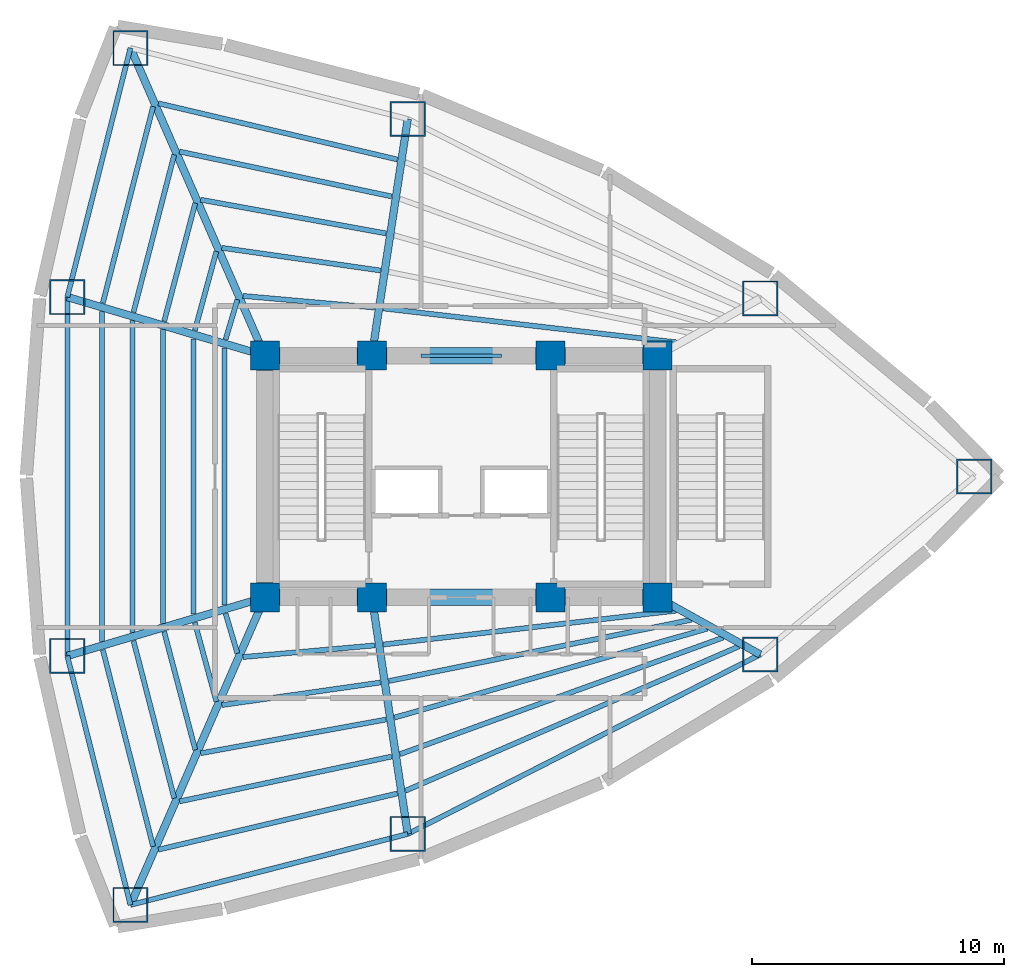
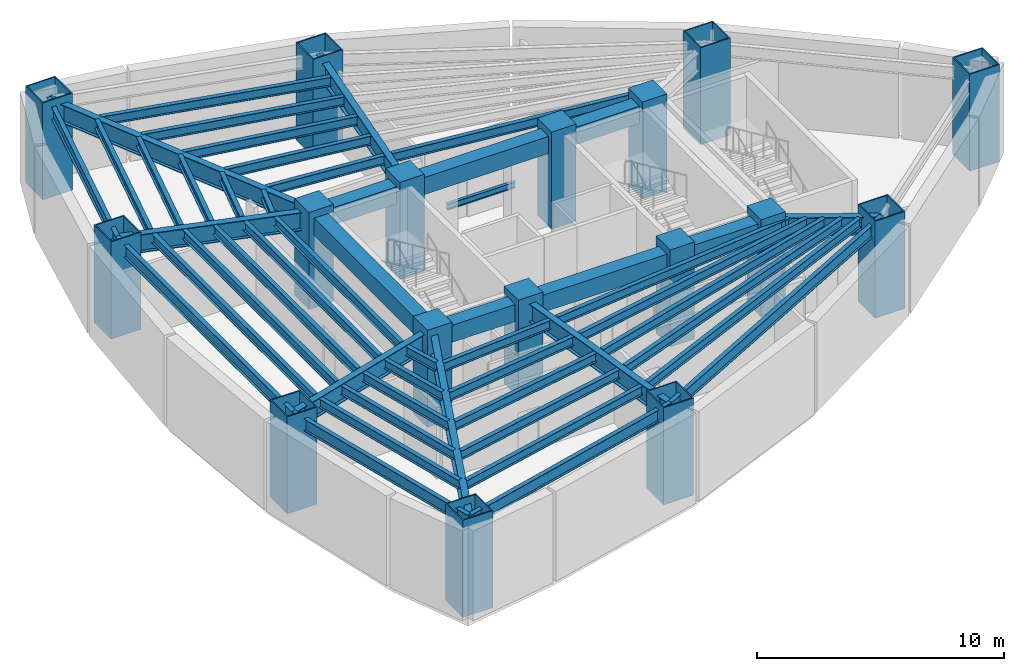
# One storey, part 1 of 5: 51 beams, 17 columns.
"""IFC4 building model written with IfcOpenShell, lengths in metres."""

import ifcopenshell
import ifcopenshell.guid

model = None  # the IFC model being written
_history = None  # IfcOwnerHistory: only IFC2X3 demands one
_inside = {}  # id of a spatial element -> (the spatial element, [elements in it])
_under = {}  # id of a project, library or spatial element -> (it, [spatial elements below it])
_declared = {}  # id of a project -> (the project, [libraries it declares])
_typed = {}  # id of a type object -> (the type object, [elements of that type])
_made_of = {}  # id of a material, layer set ... -> (it, [elements and type objects made of it])


def new_model(schema):
    """Start an empty IFC model of exactly this schema.

    Asked for "IFC4X3", IfcOpenShell would pick the latest addendum, in which some entities
    have other attributes; the version numbers below select the first issue.
    IFC2X3 requires an IfcOwnerHistory on every rooted entity: one is made here for all.
    """
    global model, _history
    if schema == "IFC4X3":
        model = ifcopenshell.file(schema_version=(4, 3, 0, 0))
    else:
        model = ifcopenshell.file(schema=schema)
    _inside.clear()
    _under.clear()
    _declared.clear()
    _typed.clear()
    _made_of.clear()
    _history = None
    if model.schema == "IFC2X3":
        org = make("IfcOrganization", Name="unknown")
        user = make(
            "IfcPersonAndOrganization",
            ThePerson=make("IfcPerson", FamilyName="unknown"),
            TheOrganization=org,
        )
        app = make(
            "IfcApplication",
            ApplicationDeveloper=org,
            Version="unknown",
            ApplicationFullName="unknown",
            ApplicationIdentifier="unknown",
        )
        _history = make(
            "IfcOwnerHistory",
            OwningUser=user,
            OwningApplication=app,
            ChangeAction="ADDED",
            CreationDate=0,
        )
    return model


def make(cls, **values):
    """One entity of the class cls with the attributes given. An attribute that is None is left unset."""
    return model.create_entity(
        cls, **{name: value for name, value in values.items() if value is not None}
    )


def rooted(cls, **values):
    """An entity with a GlobalId (a new one), such as an element, a storey or a relation."""
    return make(cls, GlobalId=ifcopenshell.guid.new(), OwnerHistory=_history, **values)


def si_unit(unit_type, name, prefix=None):
    """IfcSIUnit, for example si_unit("LENGTHUNIT", "METRE", prefix="MILLI")."""
    return make("IfcSIUnit", UnitType=unit_type, Prefix=prefix, Name=name)


def assignment(units):
    """IfcUnitAssignment: the units of a project."""
    return None if units is None else make("IfcUnitAssignment", Units=units)


def point(xyz):
    """IfcCartesianPoint."""
    return None if xyz is None else make("IfcCartesianPoint", Coordinates=xyz)


def direction(xyz):
    """IfcDirection."""
    return None if xyz is None else make("IfcDirection", DirectionRatios=xyz)


def frame(location, z_axis=None, x_axis=None):
    """IfcAxis2Placement3D, a coordinate frame: its origin and axes. An axis left out is left unset."""
    return make(
        "IfcAxis2Placement3D",
        Location=point(location),
        Axis=direction(z_axis),
        RefDirection=direction(x_axis),
    )


def frame_2d(location, x_axis=None):
    """IfcAxis2Placement2D, a coordinate frame in the plane: its origin and x axis."""
    return make(
        "IfcAxis2Placement2D", Location=point(location), RefDirection=direction(x_axis)
    )


def origin():
    """The frame at (0, 0, 0) with its axes left unset."""
    return frame((0.0, 0.0, 0.0))


def origin_2d():
    """The frame at (0, 0) in the plane with its x axis left unset."""
    return frame_2d((0.0, 0.0))


def place(relative_to, where):
    """IfcLocalPlacement: puts the frame where relative to a parent placement (None: the world)."""
    return make(
        "IfcLocalPlacement", PlacementRelTo=relative_to, RelativePlacement=where
    )


def context(
    kind, dimensions, precision=None, world=None, true_north=None, identifier=None
):
    """IfcGeometricRepresentationContext, for example the 3D "Model" context."""
    return make(
        "IfcGeometricRepresentationContext",
        ContextIdentifier=identifier,
        ContextType=kind,
        CoordinateSpaceDimension=dimensions,
        Precision=precision,
        WorldCoordinateSystem=world,
        TrueNorth=true_north,
    )


def subcontext(parent, identifier, kind, view, scale=None):
    """IfcGeometricRepresentationSubContext, for example "Body" below "Model"."""
    return make(
        "IfcGeometricRepresentationSubContext",
        ContextIdentifier=identifier,
        ContextType=kind,
        ParentContext=parent,
        TargetScale=scale,
        TargetView=view,
    )


def project(units=None, contexts=None):
    """IfcProject with its units and contexts."""
    return rooted(
        "IfcProject",
        Name="project",
        RepresentationContexts=contexts,
        UnitsInContext=assignment(units),
    )


def spatial(cls, under=None, at=None, **own):
    """A site, building, storey or space (cls), placed at a placement, below another one or the project."""
    s = rooted(cls, ObjectPlacement=at, **own)
    if under is not None:
        _under.setdefault(under.id(), (under, []))[1].append(s)
    return s


def profile(cls, at=None, kind="AREA", **sizes):
    """A parametric profile (cls). Its sizes go by their IFC names, for example OverallWidth=200.0."""
    return make(cls, ProfileType=kind, Position=at, **sizes)


def rectangle(**sizes):
    """IfcRectangleProfileDef."""
    return profile("IfcRectangleProfileDef", **sizes)


def hollow_rectangle(**sizes):
    """IfcRectangleHollowProfileDef."""
    return profile("IfcRectangleHollowProfileDef", **sizes)


def i_section(**sizes):
    """IfcIShapeProfileDef."""
    return profile("IfcIShapeProfileDef", **sizes)


def extrude(swept, where, along, depth):
    """IfcExtrudedAreaSolid: the profile swept, set in the frame where, extruded along a direction by depth."""
    return make(
        "IfcExtrudedAreaSolid",
        SweptArea=swept,
        Position=where,
        ExtrudedDirection=direction(along),
        Depth=depth,
    )


def shape(context_of_items, identifier, shape_type, items):
    """IfcShapeRepresentation: the items that make up one representation, for example the "Body"."""
    return make(
        "IfcShapeRepresentation",
        ContextOfItems=context_of_items,
        RepresentationIdentifier=identifier,
        RepresentationType=shape_type,
        Items=items,
    )


def material(Name=None, Category=None):
    """IfcMaterial."""
    return make("IfcMaterial", Name=Name, Category=Category)


def material_profile(
    of_material, cross_section, Name=None, Category=None, Priority=None
):
    """IfcMaterialProfile: a cross section and its material."""
    return make(
        "IfcMaterialProfile",
        Name=Name,
        Material=of_material,
        Profile=cross_section,
        Priority=Priority,
        Category=Category,
    )


def profile_set(profiles, Name=None, composite=None):
    """IfcMaterialProfileSet."""
    return make(
        "IfcMaterialProfileSet",
        Name=Name,
        MaterialProfiles=profiles,
        CompositeProfile=composite,
    )


def made_of(thing, what):
    """Note that an element or type object is made of a material, layer set ...; save() writes the relation."""
    if what is not None:
        _made_of.setdefault(what.id(), (what, []))[1].append(thing)
    return thing


def type_object(cls, material=None, **own):
    """A type object (cls), such as IfcWallType, which elements share."""
    return made_of(rooted(cls, **own), material)


def element(
    cls,
    number,
    at=None,
    inside=None,
    cuts=None,
    type_object=None,
    material=None,
    context=None,
    identifier="Body",
    shape_type=None,
    held_by="IfcProductDefinitionShape",
    body=None,
    shapes=None,
    **own,
):
    """One element of the class cls, such as IfcWall. Its Tag is "e" and its number.

    at: its placement. inside: the storey or other place that contains it. cuts: it is an
    opening in that element (IfcRelVoidsElement). A single representation is given by context,
    identifier, shape_type and body (its items); several are given by shapes. held_by: the class
    of the entity that holds the representations. save() writes the other relations.
    """
    e = rooted(cls, Tag="e%d" % number, ObjectPlacement=at, **own)
    if body is not None:
        shapes = [shape(context, identifier, shape_type, body)]
    if shapes is not None:
        e.Representation = make(held_by, Representations=shapes)
    if inside is not None:
        _inside.setdefault(inside.id(), (inside, []))[1].append(e)
    if cuts is not None:
        rooted(
            "IfcRelVoidsElement", RelatingBuildingElement=cuts, RelatedOpeningElement=e
        )
    if type_object is not None:
        _typed.setdefault(type_object.id(), (type_object, []))[1].append(e)
    return made_of(e, material)


def aggregate(whole, parts):
    """IfcRelAggregates: a whole, such as a stair, and the parts it consists of."""
    return rooted("IfcRelAggregates", RelatingObject=whole, RelatedObjects=parts)


def save(model, path):
    """Write the relations noted so far, then the file.

    IfcRelAggregates (storeys below a building ...), IfcRelContainedInSpatialStructure (elements
    in a storey), IfcRelDefinesByType, IfcRelAssociatesMaterial and IfcRelDeclares: one each for
    every whole, place, type object, material and project.
    """
    for whole, parts in _under.values():
        aggregate(whole, parts)
    for where, things in _inside.values():
        rooted(
            "IfcRelContainedInSpatialStructure",
            RelatedElements=things,
            RelatingStructure=where,
        )
    for kind, things in _typed.values():
        rooted("IfcRelDefinesByType", RelatedObjects=things, RelatingType=kind)
    for what, things in _made_of.values():
        rooted("IfcRelAssociatesMaterial", RelatedObjects=things, RelatingMaterial=what)
    for by, libraries in _declared.values():
        rooted("IfcRelDeclares", RelatingContext=by, RelatedDefinitions=libraries)
    model.write(path)


model = new_model("IFC4")

# Units and contexts
model_context = context("Model", 3, precision=1e-05, world=origin(), true_north=direction((0.0, 1.0)))
body_context = subcontext(model_context, "Body", "Model", "MODEL_VIEW")
ifc_project = project(units=[si_unit("LENGTHUNIT", "METRE"), si_unit("AREAUNIT", "SQUARE_METRE"), si_unit("VOLUMEUNIT", "CUBIC_METRE"), si_unit("PLANEANGLEUNIT", "RADIAN"), si_unit("MASSUNIT", "GRAM", prefix="KILO")], contexts=[model_context])

# Site, building, storey
site_placement = place(None, origin())
site = spatial("IfcSite", under=ifc_project, at=site_placement, CompositionType="ELEMENT")
building_placement = place(site_placement, origin())
building = spatial("IfcBuilding", under=site, at=building_placement, Name="Menara Vayukalpa", CompositionType="ELEMENT")
storey_placement = place(building_placement, frame((0.0, 0.0, -4.800048828125)))
storey = spatial("IfcBuildingStorey", under=building, at=storey_placement, Name="B01", CompositionType="ELEMENT", Elevation=-4.800048828125)

# Columns
ifc_material_1 = material(Name="Concrete C80/95", Category="concrete")
ifc_material_profile_1 = material_profile(ifc_material_1, rectangle(XDim=1.14990234375, YDim=1.14990234375, at=origin_2d()), Name="RC 1150x1150")
ifc_profile_set_1 = profile_set([ifc_material_profile_1], Name="Concrete C80/95")
column_type_1 = type_object("IfcColumnType", Name="COL-CC1", PredefinedType="COLUMN", material=ifc_profile_set_1)
for number, where, z_axis, x_axis, name in (
    (1, (17.800048828125, 17.199951171875, 0.0), (0.0, 0.0, 1.0), (1.0, 0.0, 0.0), "B01 Core Pilaster Column CC1"),
    (2, (22.050048828125, 17.199951171875, 0.0), (0.0, 0.0, 1.0), (1.0, 0.0, 0.0), "B01 Core Pilaster Column CC2"),
    (3, (29.14990234375, 17.199951171875, 0.0), (0.0, 0.0, 1.0), (1.0, 0.0, 0.0), "B01 Core Pilaster Column CC3"),
    (4, (33.39990234375, 17.199951171875, 0.0), (0.0, 0.0, 1.0), (1.0, 0.0, 0.0), "B01 Core Pilaster Column CC4"),
    (5, (17.800048828125, 26.800048828125, 0.0), (0.0, 0.0, 1.0), (1.0, 0.0, 0.0), "B01 Core Pilaster Column CC5"),
    (6, (22.050048828125, 26.800048828125, 0.0), (0.0, 0.0, 1.0), (1.0, 0.0, 0.0), "B01 Core Pilaster Column CC6"),
    (7, (29.14990234375, 26.800048828125, 0.0), (0.0, 0.0, 1.0), (1.0, 0.0, 0.0), "B01 Core Pilaster Column CC7"),
    (8, (33.39990234375, 26.800048828125, 0.0), (0.0, 0.0, 1.0), (1.0, 0.0, 0.0), "B01 Core Pilaster Column CC8"),
):
    element("IfcColumn", number, at=place(storey_placement, frame(where, z_axis=z_axis, x_axis=x_axis)), inside=storey, type_object=column_type_1, Name=name, PredefinedType="COLUMN", context=body_context, shape_type="SweptSolid", body=[
        extrude(rectangle(XDim=1.14990234375, YDim=1.14990234375, at=origin_2d()), origin(), (0.0, 0.0, 1.0), 4.800048828125),
    ])
ifc_material_2 = material(Name="Steel S460", Category="steel")
ifc_material_profile_2 = material_profile(ifc_material_2, hollow_rectangle(XDim=1.39990234375, YDim=1.39990234375, WallThickness=0.054931640625, at=origin_2d()), Name="BOX 1400x1400x55")
ifc_profile_set_2 = profile_set([ifc_material_profile_2], Name="Steel S460")
column_type_2 = type_object("IfcColumnType", Name="COL-MC1", PredefinedType="COLUMN", material=ifc_profile_set_2)
for number, where, z_axis, x_axis, name in (
    (9, (45.979248046875, 22.0, 0.0), (0.0, 0.0, 1.0), (1.0, 0.0, 0.0), "B01 Perimeter Mega Column P01"),
    (10, (37.47412109375, 29.07080078125, 0.0), (0.0, 0.0, 1.0), (1.0, 0.0, 0.0), "B01 Perimeter Mega Column P02"),
    (11, (23.4755859375, 36.19970703125, 0.0), (0.0, 0.0, 1.0), (1.0, 0.0, 0.0), "B01 Perimeter Mega Column P03"),
    (12, (12.46044921875, 39.01904296875, 0.0), (0.0, 0.0, 1.0), (1.0, 0.0, 0.0), "B01 Perimeter Mega Column P04"),
    (13, (9.951904296875, 29.12890625, 0.0), (0.0, 0.0, 1.0), (1.0, 0.0, 0.0), "B01 Perimeter Mega Column P05"),
    (14, (9.951904296875, 14.87109375, 0.0), (0.0, 0.0, 1.0), (1.0, 0.0, 0.0), "B01 Perimeter Mega Column P06"),
    (15, (12.46044921875, 4.98095703125, 0.0), (0.0, 0.0, 1.0), (1.0, 0.0, 0.0), "B01 Perimeter Mega Column P07"),
    (16, (23.4755859375, 7.80029296875, 0.0), (0.0, 0.0, 1.0), (1.0, 0.0, 0.0), "B01 Perimeter Mega Column P08"),
    (17, (37.47412109375, 14.92919921875, 0.0), (0.0, 0.0, 1.0), (1.0, 0.0, 0.0), "B01 Perimeter Mega Column P09"),
):
    element("IfcColumn", number, at=place(storey_placement, frame(where, z_axis=z_axis, x_axis=x_axis)), inside=storey, type_object=column_type_2, Name=name, PredefinedType="COLUMN", context=body_context, shape_type="SweptSolid", body=[
        extrude(hollow_rectangle(XDim=1.39990234375, YDim=1.39990234375, WallThickness=0.054931640625, at=origin_2d()), origin(), (0.0, 0.0, 1.0), 4.800048828125),
    ])

# Beams
ifc_material_3 = material(Name="Concrete C60/75", Category="concrete")
ifc_material_profile_3 = material_profile(ifc_material_3, rectangle(XDim=0.64990234375, YDim=0.85009765625, at=origin_2d()), Name="RC 650x850")
ifc_profile_set_3 = profile_set([ifc_material_profile_3], Name="Concrete C60/75")
beam_type_1 = type_object("IfcBeamType", Name="BM-CB1", PredefinedType="BEAM", material=ifc_profile_set_3)
beam_1_placement = place(storey_placement, frame((17.800048828125, 17.199951171875, 4.01513671875), z_axis=(1.0, 0.0, 0.0), x_axis=(0.0, 1.0, 0.0)))
element("IfcBeam", 18, at=beam_1_placement, inside=storey, type_object=beam_type_1, Name="B01 Core Tie Beam CBR1", PredefinedType="BEAM", context=body_context, shape_type="SweptSolid", body=[
    extrude(rectangle(XDim=0.64990234375, YDim=0.85009765625, at=origin_2d()), origin(), (0.0, 0.0, 1.0), 4.25),
])
beam_2_placement = place(storey_placement, frame((22.050048828125, 17.199951171875, 4.01513671875), z_axis=(1.0, 0.0, 0.0), x_axis=(0.0, 1.0, 0.0)))
element("IfcBeam", 19, at=beam_2_placement, inside=storey, type_object=beam_type_1, Name="B01 Core Tie Beam CBR2", PredefinedType="BEAM", context=body_context, shape_type="SweptSolid", body=[
    extrude(rectangle(XDim=0.64990234375, YDim=0.85009765625, at=origin_2d()), origin(), (0.0, 0.0, 1.0), 7.099853515625),
])
for number, where, z_axis, x_axis, name in (
    (20, (29.14990234375, 17.199951171875, 4.01513671875), (1.0, 0.0, 0.0), (0.0, 1.0, 0.0), "B01 Core Tie Beam CBR3"),
    (21, (17.800048828125, 26.800048828125, 4.01513671875), (1.0, 0.0, 0.0), (0.0, 1.0, 0.0), "B01 Core Tie Beam CBR4"),
):
    element("IfcBeam", number, at=place(storey_placement, frame(where, z_axis=z_axis, x_axis=x_axis)), inside=storey, type_object=beam_type_1, Name=name, PredefinedType="BEAM", context=body_context, shape_type="SweptSolid", body=[
        extrude(rectangle(XDim=0.64990234375, YDim=0.85009765625, at=origin_2d()), origin(), (0.0, 0.0, 1.0), 4.25),
    ])
beam_3_placement = place(storey_placement, frame((22.050048828125, 26.800048828125, 4.01513671875), z_axis=(1.0, 0.0, 0.0), x_axis=(0.0, 1.0, 0.0)))
element("IfcBeam", 22, at=beam_3_placement, inside=storey, type_object=beam_type_1, Name="B01 Core Tie Beam CBR5", PredefinedType="BEAM", context=body_context, shape_type="SweptSolid", body=[
    extrude(rectangle(XDim=0.64990234375, YDim=0.85009765625, at=origin_2d()), origin(), (0.0, 0.0, 1.0), 7.099853515625),
])
beam_4_placement = place(storey_placement, frame((29.14990234375, 26.800048828125, 4.01513671875), z_axis=(1.0, 0.0, 0.0), x_axis=(0.0, 1.0, 0.0)))
element("IfcBeam", 23, at=beam_4_placement, inside=storey, type_object=beam_type_1, Name="B01 Core Tie Beam CBR6", PredefinedType="BEAM", context=body_context, shape_type="SweptSolid", body=[
    extrude(rectangle(XDim=0.64990234375, YDim=0.85009765625, at=origin_2d()), origin(), (0.0, 0.0, 1.0), 4.25),
])
beam_5_placement = place(storey_placement, frame((17.800048828125, 17.199951171875, 4.01513671875), z_axis=(0.0, 1.0, 0.0), x_axis=(-1.0, 0.0, 0.0)))
element("IfcBeam", 24, at=beam_5_placement, inside=storey, type_object=beam_type_1, Name="B01 Core Tie Beam CBR7", PredefinedType="BEAM", context=body_context, shape_type="SweptSolid", body=[
    extrude(rectangle(XDim=0.64990234375, YDim=0.85009765625, at=origin_2d()), origin(), (0.0, 0.0, 1.0), 9.60009765625),
])
ifc_material_4 = material(Name="Steel S355", Category="steel")
ifc_material_profile_4 = material_profile(ifc_material_4, i_section(OverallWidth=0.14990234375, OverallDepth=0.300048828125, WebThickness=0.006591796875, FlangeThickness=0.009033203125, at=origin_2d()), Name="WF 300x150x6.5x9")
ifc_profile_set_4 = profile_set([ifc_material_profile_4], Name="Steel S355")
beam_type_2 = type_object("IfcBeamType", Name="BM-LN1", PredefinedType="LINTEL", material=ifc_profile_set_4)
beam_6_placement = place(storey_placement, frame((24.0, 26.800048828125, 2.380126953125), z_axis=(1.0, 0.0, 0.0), x_axis=(0.0, 1.0, 0.0)))
element("IfcBeam", 25, at=beam_6_placement, inside=storey, type_object=beam_type_2, Name="B01 North Core Steel Lintel LN1", PredefinedType="LINTEL", context=body_context, shape_type="SweptSolid", body=[
    extrude(i_section(OverallWidth=0.14990234375, OverallDepth=0.300048828125, WebThickness=0.006591796875, FlangeThickness=0.009033203125, at=origin_2d()), origin(), (0.0, 0.0, 1.0), 3.199951171875),
])
ifc_material_5 = material(Name="Steel S355", Category="steel")
ifc_material_profile_5 = material_profile(ifc_material_5, i_section(OverallWidth=0.300048828125, OverallDepth=0.89990234375, WebThickness=0.01611328125, FlangeThickness=0.028076171875, at=origin_2d()), Name="WF 900x300x16x28")
ifc_profile_set_5 = profile_set([ifc_material_profile_5], Name="Steel S355")
beam_type_3 = type_object("IfcBeamType", Name="BM-PG1", PredefinedType="BEAM", material=ifc_profile_set_5)
beam_7_placement = place(storey_placement, frame((22.08740234375, 27.047119140625, 3.989990234375), z_axis=(0.149956157605, 0.988692647285, 0.0), x_axis=(-0.988692647285, 0.149956157605, 0.0)))
element("IfcBeam", 26, at=beam_7_placement, inside=storey, type_object=beam_type_3, Name="B01 Primary Radial Girder RG03", PredefinedType="BEAM", context=body_context, shape_type="SweptSolid", body=[
    extrude(i_section(OverallWidth=0.300048828125, OverallDepth=0.89990234375, WebThickness=0.01611328125, FlangeThickness=0.028076171875, at=origin_2d()), origin(), (0.0, 0.0, 1.0), 9.25732421875),
])
beam_8_placement = place(storey_placement, frame((17.699951171875, 27.029052734375, 3.989990234375), z_axis=(-0.400426299501, 0.916328968585, 0.0), x_axis=(-0.916328968585, -0.400426299501, 0.0)))
element("IfcBeam", 27, at=beam_8_placement, inside=storey, type_object=beam_type_3, Name="B01 Primary Radial Girder RG04", PredefinedType="BEAM", context=body_context, shape_type="SweptSolid", body=[
    extrude(i_section(OverallWidth=0.300048828125, OverallDepth=0.89990234375, WebThickness=0.01611328125, FlangeThickness=0.028076171875, at=origin_2d()), origin(), (0.0, 0.0, 1.0), 13.084716796875),
])
for number, where, z_axis, x_axis, name in (
    (28, (17.560302734375, 26.87109375, 3.989990234375), (-0.958678858065, 0.284490504409, 0.0), (-0.284490504409, -0.958678858065, 0.0), "B01 Primary Radial Girder RG05"),
    (29, (17.560302734375, 17.12890625, 3.989990234375), (-0.958678858065, -0.284490504409, 0.0), (0.284490504409, -0.958678858065, 0.0), "B01 Primary Radial Girder RG06"),
):
    element("IfcBeam", number, at=place(storey_placement, frame(where, z_axis=z_axis, x_axis=x_axis)), inside=storey, type_object=beam_type_3, Name=name, PredefinedType="BEAM", context=body_context, shape_type="SweptSolid", body=[
        extrude(i_section(OverallWidth=0.300048828125, OverallDepth=0.89990234375, WebThickness=0.01611328125, FlangeThickness=0.028076171875, at=origin_2d()), origin(), (0.0, 0.0, 1.0), 7.936279296875),
    ])
beam_9_placement = place(storey_placement, frame((17.699951171875, 16.970947265625, 3.989990234375), z_axis=(-0.400426299501, -0.916328968585, 0.0), x_axis=(0.916328968585, -0.400426299501, 0.0)))
element("IfcBeam", 30, at=beam_9_placement, inside=storey, type_object=beam_type_3, Name="B01 Primary Radial Girder RG07", PredefinedType="BEAM", context=body_context, shape_type="SweptSolid", body=[
    extrude(i_section(OverallWidth=0.300048828125, OverallDepth=0.89990234375, WebThickness=0.01611328125, FlangeThickness=0.028076171875, at=origin_2d()), origin(), (0.0, 0.0, 1.0), 13.084716796875),
])
beam_10_placement = place(storey_placement, frame((22.08740234375, 16.952880859375, 3.989990234375), z_axis=(0.149956157605, -0.988692647285, 0.0), x_axis=(0.988692647285, 0.149956157605, 0.0)))
element("IfcBeam", 31, at=beam_10_placement, inside=storey, type_object=beam_type_3, Name="B01 Primary Radial Girder RG08", PredefinedType="BEAM", context=body_context, shape_type="SweptSolid", body=[
    extrude(i_section(OverallWidth=0.300048828125, OverallDepth=0.89990234375, WebThickness=0.01611328125, FlangeThickness=0.028076171875, at=origin_2d()), origin(), (0.0, 0.0, 1.0), 9.25732421875),
])
beam_11_placement = place(storey_placement, frame((33.618408203125, 17.078369140625, 3.989990234375), z_axis=(0.873472891879, -0.486872783335, 0.0), x_axis=(0.486872783335, 0.873472891879, 0.0)))
element("IfcBeam", 32, at=beam_11_placement, inside=storey, type_object=beam_type_3, Name="B01 Primary Radial Girder RG09", PredefinedType="BEAM", context=body_context, shape_type="SweptSolid", body=[
    extrude(i_section(OverallWidth=0.300048828125, OverallDepth=0.89990234375, WebThickness=0.01611328125, FlangeThickness=0.028076171875, at=origin_2d()), origin(), (0.0, 0.0, 1.0), 4.414306640625),
])
ifc_material_6 = material(Name="Steel S355", Category="steel")
ifc_material_profile_6 = material_profile(ifc_material_6, i_section(OverallWidth=0.199951171875, OverallDepth=0.449951171875, WebThickness=0.009033203125, FlangeThickness=0.013916015625, at=origin_2d()), Name="WF 450x200x9x14")
ifc_profile_set_6 = profile_set([ifc_material_profile_6], Name="Steel S355")
beam_type_4 = type_object("IfcBeamType", Name="BM-SJ1", PredefinedType="JOIST", material=ifc_profile_set_6)
beam_12_placement = place(storey_placement, frame((34.1435546875, 27.328125, 4.215087890625), z_axis=(-0.993368624996, 0.114972931045, 0.0), x_axis=(-0.114972931045, -0.993368624996, 0.0)))
element("IfcBeam", 33, at=beam_12_placement, inside=storey, type_object=beam_type_4, Name="B01 Secondary Floor Joist SJ02-1", PredefinedType="JOIST", context=body_context, shape_type="SweptSolid", body=[
    extrude(i_section(OverallWidth=0.199951171875, OverallDepth=0.449951171875, WebThickness=0.009033203125, FlangeThickness=0.013916015625, at=origin_2d()), origin(), (0.0, 0.0, 1.0), 11.715087890625),
])
beam_13_placement = place(storey_placement, frame((22.16796875, 28.709716796875, 4.215087890625), z_axis=(-0.996127818773, 0.08791682812, 0.0), x_axis=(-0.08791682812, -0.996127818773, 0.0)))
element("IfcBeam", 34, at=beam_13_placement, inside=storey, type_object=beam_type_4, Name="B01 Secondary Floor Joist SJ03-1", PredefinedType="JOIST", context=body_context, shape_type="SweptSolid", body=[
    extrude(i_section(OverallWidth=0.199951171875, OverallDepth=0.449951171875, WebThickness=0.009033203125, FlangeThickness=0.013916015625, at=origin_2d()), origin(), (0.0, 0.0, 1.0), 5.26220703125),
])
beam_14_placement = place(storey_placement, frame((22.39111328125, 30.18310546875, 4.215087890625), z_axis=(-0.989991622628, 0.141126139063, 0.0), x_axis=(-0.141126139063, -0.989991622628, 0.0)))
element("IfcBeam", 35, at=beam_14_placement, inside=storey, type_object=beam_type_4, Name="B01 Secondary Floor Joist SJ03-2", PredefinedType="JOIST", context=body_context, shape_type="SweptSolid", body=[
    extrude(i_section(OverallWidth=0.199951171875, OverallDepth=0.449951171875, WebThickness=0.009033203125, FlangeThickness=0.013916015625, at=origin_2d()), origin(), (0.0, 0.0, 1.0), 6.367919921875),
])
beam_15_placement = place(storey_placement, frame((22.6142578125, 31.65380859375, 4.215087890625), z_axis=(-0.98386051846, 0.178937084517, 0.0), x_axis=(-0.178937084517, -0.98386051846, 0.0)))
element("IfcBeam", 36, at=beam_15_placement, inside=storey, type_object=beam_type_4, Name="B01 Secondary Floor Joist SJ03-3", PredefinedType="JOIST", context=body_context, shape_type="SweptSolid", body=[
    extrude(i_section(OverallWidth=0.199951171875, OverallDepth=0.449951171875, WebThickness=0.009033203125, FlangeThickness=0.013916015625, at=origin_2d()), origin(), (0.0, 0.0, 1.0), 7.48779296875),
])
beam_16_placement = place(storey_placement, frame((22.83740234375, 33.123046875, 4.215087890625), z_axis=(-0.978324318859, 0.207078553039, 0.0), x_axis=(-0.207078553039, -0.978324318859, 0.0)))
element("IfcBeam", 37, at=beam_16_placement, inside=storey, type_object=beam_type_4, Name="B01 Secondary Floor Joist SJ03-4", PredefinedType="JOIST", context=body_context, shape_type="SweptSolid", body=[
    extrude(i_section(OverallWidth=0.199951171875, OverallDepth=0.449951171875, WebThickness=0.009033203125, FlangeThickness=0.013916015625, at=origin_2d()), origin(), (0.0, 0.0, 1.0), 8.615966796875),
])
beam_17_placement = place(storey_placement, frame((23.060302734375, 34.59130859375, 4.215087890625), z_axis=(-0.973474607698, 0.228795078983, 0.0), x_axis=(-0.228795078983, -0.973474607698, 0.0)))
element("IfcBeam", 38, at=beam_17_placement, inside=storey, type_object=beam_type_4, Name="B01 Secondary Floor Joist SJ03-5", PredefinedType="JOIST", context=body_context, shape_type="SweptSolid", body=[
    extrude(i_section(OverallWidth=0.199951171875, OverallDepth=0.449951171875, WebThickness=0.009033203125, FlangeThickness=0.013916015625, at=origin_2d()), origin(), (0.0, 0.0, 1.0), 9.749755859375),
])
beam_18_placement = place(storey_placement, frame((16.70849609375, 29.0244140625, 4.215087890625), z_axis=(-0.284173863657, -0.958772765161, 0.0), x_axis=(0.958772765161, -0.284173863657, 0.0)))
element("IfcBeam", 39, at=beam_18_placement, inside=storey, type_object=beam_type_4, Name="B01 Secondary Floor Joist SJ04-1", PredefinedType="JOIST", context=body_context, shape_type="SweptSolid", body=[
    extrude(i_section(OverallWidth=0.199951171875, OverallDepth=0.449951171875, WebThickness=0.009033203125, FlangeThickness=0.013916015625, at=origin_2d()), origin(), (0.0, 0.0, 1.0), 1.652099609375),
])
beam_19_placement = place(storey_placement, frame((15.873779296875, 30.941650390625, 4.215087890625), z_axis=(-0.262945960317, -0.964810562729, 0.0), x_axis=(0.964810562729, -0.262945960317, 0.0)))
element("IfcBeam", 40, at=beam_19_placement, inside=storey, type_object=beam_type_4, Name="B01 Secondary Floor Joist SJ04-2", PredefinedType="JOIST", context=body_context, shape_type="SweptSolid", body=[
    extrude(i_section(OverallWidth=0.199951171875, OverallDepth=0.449951171875, WebThickness=0.009033203125, FlangeThickness=0.013916015625, at=origin_2d()), origin(), (0.0, 0.0, 1.0), 3.25341796875),
])
beam_20_placement = place(storey_placement, frame((15.036865234375, 32.859619140625, 4.215087890625), z_axis=(-0.254819975699, -0.966988510782, 0.0), x_axis=(0.966988510782, -0.254819975699, 0.0)))
element("IfcBeam", 41, at=beam_20_placement, inside=storey, type_object=beam_type_4, Name="B01 Secondary Floor Joist SJ04-3", PredefinedType="JOIST", context=body_context, shape_type="SweptSolid", body=[
    extrude(i_section(OverallWidth=0.199951171875, OverallDepth=0.449951171875, WebThickness=0.009033203125, FlangeThickness=0.013916015625, at=origin_2d()), origin(), (0.0, 0.0, 1.0), 4.855712890625),
])
beam_21_placement = place(storey_placement, frame((14.19921875, 34.77783203125, 4.215087890625), z_axis=(-0.250533111623, -0.968108031152, 0.0), x_axis=(0.968108031152, -0.250533111623, 0.0)))
element("IfcBeam", 42, at=beam_21_placement, inside=storey, type_object=beam_type_4, Name="B01 Secondary Floor Joist SJ04-4", PredefinedType="JOIST", context=body_context, shape_type="SweptSolid", body=[
    extrude(i_section(OverallWidth=0.199951171875, OverallDepth=0.449951171875, WebThickness=0.009033203125, FlangeThickness=0.013916015625, at=origin_2d()), origin(), (0.0, 0.0, 1.0), 6.4580078125),
])
beam_22_placement = place(storey_placement, frame((13.361328125, 36.696044921875, 4.215087890625), z_axis=(-0.247855728428, -0.9687969539, 0.0), x_axis=(0.9687969539, -0.247855728428, 0.0)))
element("IfcBeam", 43, at=beam_22_placement, inside=storey, type_object=beam_type_4, Name="B01 Secondary Floor Joist SJ04-5", PredefinedType="JOIST", context=body_context, shape_type="SweptSolid", body=[
    extrude(i_section(OverallWidth=0.199951171875, OverallDepth=0.449951171875, WebThickness=0.009033203125, FlangeThickness=0.013916015625, at=origin_2d()), origin(), (0.0, 0.0, 1.0), 8.060302734375),
])
beam_23_placement = place(storey_placement, frame((16.19091796875, 27.107421875, 4.215087890625), z_axis=(0.0, -1.0, 0.0), x_axis=(1.0, 0.0, 0.0)))
element("IfcBeam", 44, at=beam_23_placement, inside=storey, type_object=beam_type_4, Name="B01 Secondary Floor Joist SJ05-1", PredefinedType="JOIST", context=body_context, shape_type="SweptSolid", body=[
    extrude(i_section(OverallWidth=0.199951171875, OverallDepth=0.449951171875, WebThickness=0.009033203125, FlangeThickness=0.013916015625, at=origin_2d()), origin(), (0.0, 0.0, 1.0), 10.21484375),
])
beam_24_placement = place(storey_placement, frame((14.973388671875, 27.46875, 4.215087890625), z_axis=(0.0, -1.0, 0.0), x_axis=(1.0, 0.0, 0.0)))
element("IfcBeam", 45, at=beam_24_placement, inside=storey, type_object=beam_type_4, Name="B01 Secondary Floor Joist SJ05-2", PredefinedType="JOIST", context=body_context, shape_type="SweptSolid", body=[
    extrude(i_section(OverallWidth=0.199951171875, OverallDepth=0.449951171875, WebThickness=0.009033203125, FlangeThickness=0.013916015625, at=origin_2d()), origin(), (0.0, 0.0, 1.0), 10.9375),
])
beam_25_placement = place(storey_placement, frame((13.756103515625, 27.830078125, 4.215087890625), z_axis=(0.0, -1.0, 0.0), x_axis=(1.0, 0.0, 0.0)))
element("IfcBeam", 46, at=beam_25_placement, inside=storey, type_object=beam_type_4, Name="B01 Secondary Floor Joist SJ05-3", PredefinedType="JOIST", context=body_context, shape_type="SweptSolid", body=[
    extrude(i_section(OverallWidth=0.199951171875, OverallDepth=0.449951171875, WebThickness=0.009033203125, FlangeThickness=0.013916015625, at=origin_2d()), origin(), (0.0, 0.0, 1.0), 11.66015625),
])
beam_26_placement = place(storey_placement, frame((12.538818359375, 28.191162109375, 4.215087890625), z_axis=(0.0, -1.0, 0.0), x_axis=(1.0, 0.0, 0.0)))
element("IfcBeam", 47, at=beam_26_placement, inside=storey, type_object=beam_type_4, Name="B01 Secondary Floor Joist SJ05-4", PredefinedType="JOIST", context=body_context, shape_type="SweptSolid", body=[
    extrude(i_section(OverallWidth=0.199951171875, OverallDepth=0.449951171875, WebThickness=0.009033203125, FlangeThickness=0.013916015625, at=origin_2d()), origin(), (0.0, 0.0, 1.0), 12.38232421875),
])
beam_27_placement = place(storey_placement, frame((11.321533203125, 28.552490234375, 4.215087890625), z_axis=(0.0, -1.0, 0.0), x_axis=(1.0, 0.0, 0.0)))
element("IfcBeam", 48, at=beam_27_placement, inside=storey, type_object=beam_type_4, Name="B01 Secondary Floor Joist SJ05-5", PredefinedType="JOIST", context=body_context, shape_type="SweptSolid", body=[
    extrude(i_section(OverallWidth=0.199951171875, OverallDepth=0.449951171875, WebThickness=0.009033203125, FlangeThickness=0.013916015625, at=origin_2d()), origin(), (0.0, 0.0, 1.0), 13.10498046875),
])
beam_28_placement = place(storey_placement, frame((16.239013671875, 16.5595703125, 4.215087890625), z_axis=(0.284173863657, -0.958772765161, 0.0), x_axis=(0.958772765161, 0.284173863657, 0.0)))
element("IfcBeam", 49, at=beam_28_placement, inside=storey, type_object=beam_type_4, Name="B01 Secondary Floor Joist SJ06-1", PredefinedType="JOIST", context=body_context, shape_type="SweptSolid", body=[
    extrude(i_section(OverallWidth=0.199951171875, OverallDepth=0.449951171875, WebThickness=0.009033203125, FlangeThickness=0.013916015625, at=origin_2d()), origin(), (0.0, 0.0, 1.0), 1.652099609375),
])
beam_29_placement = place(storey_placement, frame((15.018310546875, 16.197265625, 4.215087890625), z_axis=(0.262945960317, -0.964810562729, 0.0), x_axis=(0.964810562729, 0.262945960317, 0.0)))
element("IfcBeam", 50, at=beam_29_placement, inside=storey, type_object=beam_type_4, Name="B01 Secondary Floor Joist SJ06-2", PredefinedType="JOIST", context=body_context, shape_type="SweptSolid", body=[
    extrude(i_section(OverallWidth=0.199951171875, OverallDepth=0.449951171875, WebThickness=0.009033203125, FlangeThickness=0.013916015625, at=origin_2d()), origin(), (0.0, 0.0, 1.0), 3.25341796875),
])
beam_30_placement = place(storey_placement, frame((13.799560546875, 15.835693359375, 4.215087890625), z_axis=(0.254819975699, -0.966988510782, 0.0), x_axis=(0.966988510782, 0.254819975699, 0.0)))
element("IfcBeam", 51, at=beam_30_placement, inside=storey, type_object=beam_type_4, Name="B01 Secondary Floor Joist SJ06-3", PredefinedType="JOIST", context=body_context, shape_type="SweptSolid", body=[
    extrude(i_section(OverallWidth=0.199951171875, OverallDepth=0.449951171875, WebThickness=0.009033203125, FlangeThickness=0.013916015625, at=origin_2d()), origin(), (0.0, 0.0, 1.0), 4.855712890625),
])
beam_31_placement = place(storey_placement, frame((12.581298828125, 15.47412109375, 4.215087890625), z_axis=(0.250533111623, -0.968108031152, 0.0), x_axis=(0.968108031152, 0.250533111623, 0.0)))
element("IfcBeam", 52, at=beam_31_placement, inside=storey, type_object=beam_type_4, Name="B01 Secondary Floor Joist SJ06-4", PredefinedType="JOIST", context=body_context, shape_type="SweptSolid", body=[
    extrude(i_section(OverallWidth=0.199951171875, OverallDepth=0.449951171875, WebThickness=0.009033203125, FlangeThickness=0.013916015625, at=origin_2d()), origin(), (0.0, 0.0, 1.0), 6.4580078125),
])
beam_32_placement = place(storey_placement, frame((11.363525390625, 15.11279296875, 4.215087890625), z_axis=(0.247855728428, -0.9687969539, 0.0), x_axis=(0.9687969539, 0.247855728428, 0.0)))
element("IfcBeam", 53, at=beam_32_placement, inside=storey, type_object=beam_type_4, Name="B01 Secondary Floor Joist SJ06-5", PredefinedType="JOIST", context=body_context, shape_type="SweptSolid", body=[
    extrude(i_section(OverallWidth=0.199951171875, OverallDepth=0.449951171875, WebThickness=0.009033203125, FlangeThickness=0.013916015625, at=origin_2d()), origin(), (0.0, 0.0, 1.0), 8.060302734375),
])
beam_33_placement = place(storey_placement, frame((16.926025390625, 14.82763671875, 4.215087890625), z_axis=(0.996127818773, 0.08791682812, 0.0), x_axis=(-0.08791682812, 0.996127818773, 0.0)))
element("IfcBeam", 54, at=beam_33_placement, inside=storey, type_object=beam_type_4, Name="B01 Secondary Floor Joist SJ07-1", PredefinedType="JOIST", context=body_context, shape_type="SweptSolid", body=[
    extrude(i_section(OverallWidth=0.199951171875, OverallDepth=0.449951171875, WebThickness=0.009033203125, FlangeThickness=0.013916015625, at=origin_2d()), origin(), (0.0, 0.0, 1.0), 5.26220703125),
])
beam_34_placement = place(storey_placement, frame((16.0869140625, 12.918212890625, 4.215087890625), z_axis=(0.989991622628, 0.141126139063, 0.0), x_axis=(-0.141126139063, 0.989991622628, 0.0)))
element("IfcBeam", 55, at=beam_34_placement, inside=storey, type_object=beam_type_4, Name="B01 Secondary Floor Joist SJ07-2", PredefinedType="JOIST", context=body_context, shape_type="SweptSolid", body=[
    extrude(i_section(OverallWidth=0.199951171875, OverallDepth=0.449951171875, WebThickness=0.009033203125, FlangeThickness=0.013916015625, at=origin_2d()), origin(), (0.0, 0.0, 1.0), 6.367919921875),
])
beam_35_placement = place(storey_placement, frame((15.247314453125, 11.00634765625, 4.215087890625), z_axis=(0.98386051846, 0.178937084517, 0.0), x_axis=(-0.178937084517, 0.98386051846, 0.0)))
element("IfcBeam", 56, at=beam_35_placement, inside=storey, type_object=beam_type_4, Name="B01 Secondary Floor Joist SJ07-3", PredefinedType="JOIST", context=body_context, shape_type="SweptSolid", body=[
    extrude(i_section(OverallWidth=0.199951171875, OverallDepth=0.449951171875, WebThickness=0.009033203125, FlangeThickness=0.013916015625, at=origin_2d()), origin(), (0.0, 0.0, 1.0), 7.48779296875),
])
beam_36_placement = place(storey_placement, frame((14.408203125, 9.0927734375, 4.215087890625), z_axis=(0.978324318859, 0.207078553039, 0.0), x_axis=(-0.207078553039, 0.978324318859, 0.0)))
element("IfcBeam", 57, at=beam_36_placement, inside=storey, type_object=beam_type_4, Name="B01 Secondary Floor Joist SJ07-4", PredefinedType="JOIST", context=body_context, shape_type="SweptSolid", body=[
    extrude(i_section(OverallWidth=0.199951171875, OverallDepth=0.449951171875, WebThickness=0.009033203125, FlangeThickness=0.013916015625, at=origin_2d()), origin(), (0.0, 0.0, 1.0), 8.615966796875),
])
beam_37_placement = place(storey_placement, frame((13.569091796875, 7.177978515625, 4.215087890625), z_axis=(0.973474607698, 0.228795078983, 0.0), x_axis=(-0.228795078983, 0.973474607698, 0.0)))
element("IfcBeam", 58, at=beam_37_placement, inside=storey, type_object=beam_type_4, Name="B01 Secondary Floor Joist SJ07-5", PredefinedType="JOIST", context=body_context, shape_type="SweptSolid", body=[
    extrude(i_section(OverallWidth=0.199951171875, OverallDepth=0.449951171875, WebThickness=0.009033203125, FlangeThickness=0.013916015625, at=origin_2d()), origin(), (0.0, 0.0, 1.0), 9.749755859375),
])
beam_38_placement = place(storey_placement, frame((22.506103515625, 15.324951171875, 4.215087890625), z_axis=(0.993368624996, 0.114972931045, 0.0), x_axis=(-0.114972931045, 0.993368624996, 0.0)))
element("IfcBeam", 59, at=beam_38_placement, inside=storey, type_object=beam_type_4, Name="B01 Secondary Floor Joist SJ08-1", PredefinedType="JOIST", context=body_context, shape_type="SweptSolid", body=[
    extrude(i_section(OverallWidth=0.199951171875, OverallDepth=0.449951171875, WebThickness=0.009033203125, FlangeThickness=0.013916015625, at=origin_2d()), origin(), (0.0, 0.0, 1.0), 11.715087890625),
])
beam_39_placement = place(storey_placement, frame((22.72607421875, 13.874755859375, 4.215087890625), z_axis=(0.980082096832, 0.198592757847, 0.0), x_axis=(-0.198592757847, 0.980082096832, 0.0)))
element("IfcBeam", 60, at=beam_39_placement, inside=storey, type_object=beam_type_4, Name="B01 Secondary Floor Joist SJ08-2", PredefinedType="JOIST", context=body_context, shape_type="SweptSolid", body=[
    extrude(i_section(OverallWidth=0.199951171875, OverallDepth=0.449951171875, WebThickness=0.009033203125, FlangeThickness=0.013916015625, at=origin_2d()), origin(), (0.0, 0.0, 1.0), 12.28125),
])
beam_40_placement = place(storey_placement, frame((22.945068359375, 12.423095703125, 4.215087890625), z_axis=(0.961920522013, 0.273329305656, 0.0), x_axis=(-0.273329305656, 0.961920522013, 0.0)))
element("IfcBeam", 61, at=beam_40_placement, inside=storey, type_object=beam_type_4, Name="B01 Secondary Floor Joist SJ08-3", PredefinedType="JOIST", context=body_context, shape_type="SweptSolid", body=[
    extrude(i_section(OverallWidth=0.199951171875, OverallDepth=0.449951171875, WebThickness=0.009033203125, FlangeThickness=0.013916015625, at=origin_2d()), origin(), (0.0, 0.0, 1.0), 12.93017578125),
])
beam_41_placement = place(storey_placement, frame((23.16357421875, 10.9697265625, 4.215087890625), z_axis=(0.94065210614, 0.339372384284, 0.0), x_axis=(-0.339372384284, 0.94065210614, 0.0)))
element("IfcBeam", 62, at=beam_41_placement, inside=storey, type_object=beam_type_4, Name="B01 Secondary Floor Joist SJ08-4", PredefinedType="JOIST", context=body_context, shape_type="SweptSolid", body=[
    extrude(i_section(OverallWidth=0.199951171875, OverallDepth=0.449951171875, WebThickness=0.009033203125, FlangeThickness=0.013916015625, at=origin_2d()), origin(), (0.0, 0.0, 1.0), 13.649658203125),
])
beam_42_placement = place(storey_placement, frame((23.381591796875, 9.51513671875, 4.215087890625), z_axis=(0.91768786967, 0.397302119125, 0.0), x_axis=(-0.397302119125, 0.91768786967, 0.0)))
element("IfcBeam", 63, at=beam_42_placement, inside=storey, type_object=beam_type_4, Name="B01 Secondary Floor Joist SJ08-5", PredefinedType="JOIST", context=body_context, shape_type="SweptSolid", body=[
    extrude(i_section(OverallWidth=0.199951171875, OverallDepth=0.449951171875, WebThickness=0.009033203125, FlangeThickness=0.013916015625, at=origin_2d()), origin(), (0.0, 0.0, 1.0), 14.43017578125),
])
ifc_material_7 = material(Name="Steel S355", Category="steel")
ifc_material_profile_7 = material_profile(ifc_material_7, i_section(OverallWidth=0.199951171875, OverallDepth=0.60009765625, WebThickness=0.010986328125, FlangeThickness=0.01708984375, at=origin_2d()), Name="WF 600x200x11x17")
ifc_profile_set_7 = profile_set([ifc_material_profile_7], Name="Steel S355")
beam_type_5 = type_object("IfcBeamType", Name="BM-SP1", PredefinedType="SPANDREL", material=ifc_profile_set_7)
beam_43_placement = place(storey_placement, frame((12.46044921875, 39.01904296875, 4.14013671875), z_axis=(-0.24585591488, -0.969306385576, 0.0), x_axis=(0.969306385576, -0.24585591488, 0.0)))
element("IfcBeam", 64, at=beam_43_placement, inside=storey, type_object=beam_type_5, Name="B01 Perimeter Spandrel Beam SP04", PredefinedType="SPANDREL", context=body_context, shape_type="SweptSolid", body=[
    extrude(i_section(OverallWidth=0.199951171875, OverallDepth=0.60009765625, WebThickness=0.010986328125, FlangeThickness=0.01708984375, at=origin_2d()), origin(), (0.0, 0.0, 1.0), 10.203369140625),
])
beam_44_placement = place(storey_placement, frame((9.951904296875, 29.12890625, 4.14013671875), z_axis=(0.0, -1.0, 0.0), x_axis=(1.0, 0.0, 0.0)))
element("IfcBeam", 65, at=beam_44_placement, inside=storey, type_object=beam_type_5, Name="B01 Perimeter Spandrel Beam SP05", PredefinedType="SPANDREL", context=body_context, shape_type="SweptSolid", body=[
    extrude(i_section(OverallWidth=0.199951171875, OverallDepth=0.60009765625, WebThickness=0.010986328125, FlangeThickness=0.01708984375, at=origin_2d()), origin(), (0.0, 0.0, 1.0), 14.2578125),
])
beam_45_placement = place(storey_placement, frame((9.951904296875, 14.87109375, 4.14013671875), z_axis=(0.24585591488, -0.969306385576, 0.0), x_axis=(0.969306385576, 0.24585591488, 0.0)))
element("IfcBeam", 66, at=beam_45_placement, inside=storey, type_object=beam_type_5, Name="B01 Perimeter Spandrel Beam SP06", PredefinedType="SPANDREL", context=body_context, shape_type="SweptSolid", body=[
    extrude(i_section(OverallWidth=0.199951171875, OverallDepth=0.60009765625, WebThickness=0.010986328125, FlangeThickness=0.01708984375, at=origin_2d()), origin(), (0.0, 0.0, 1.0), 10.203369140625),
])
beam_46_placement = place(storey_placement, frame((12.46044921875, 4.98095703125, 4.14013671875), z_axis=(0.968770804637, 0.247957915953, 0.0), x_axis=(-0.247957915953, 0.968770804637, 0.0)))
element("IfcBeam", 67, at=beam_46_placement, inside=storey, type_object=beam_type_5, Name="B01 Perimeter Spandrel Beam SP07", PredefinedType="SPANDREL", context=body_context, shape_type="SweptSolid", body=[
    extrude(i_section(OverallWidth=0.199951171875, OverallDepth=0.60009765625, WebThickness=0.010986328125, FlangeThickness=0.01708984375, at=origin_2d()), origin(), (0.0, 0.0, 1.0), 11.3701171875),
])
beam_47_placement = place(storey_placement, frame((23.4755859375, 7.80029296875, 4.14013671875), z_axis=(0.891101872915, 0.453803318726, 0.0), x_axis=(-0.453803318726, 0.891101872915, 0.0)))
element("IfcBeam", 68, at=beam_47_placement, inside=storey, type_object=beam_type_5, Name="B01 Perimeter Spandrel Beam SP08", PredefinedType="SPANDREL", context=body_context, shape_type="SweptSolid", body=[
    extrude(i_section(OverallWidth=0.199951171875, OverallDepth=0.60009765625, WebThickness=0.010986328125, FlangeThickness=0.01708984375, at=origin_2d()), origin(), (0.0, 0.0, 1.0), 15.709228515625),
])

save(model, "model.ifc")
